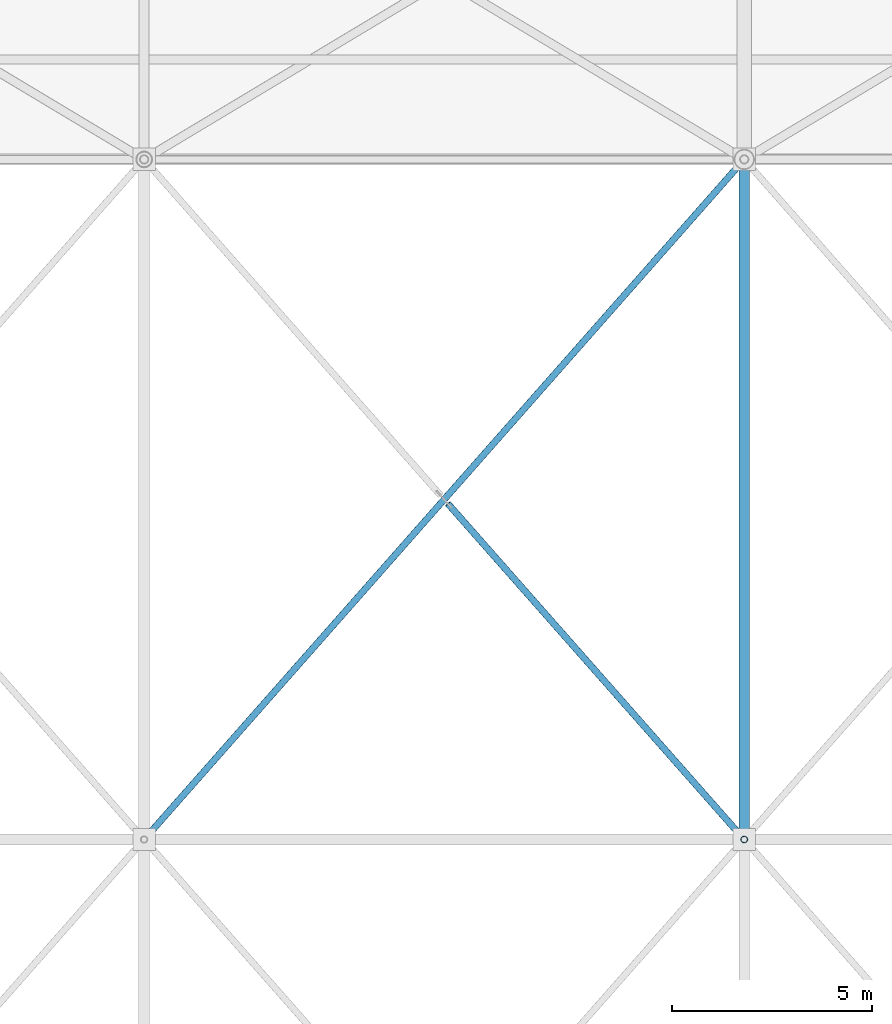
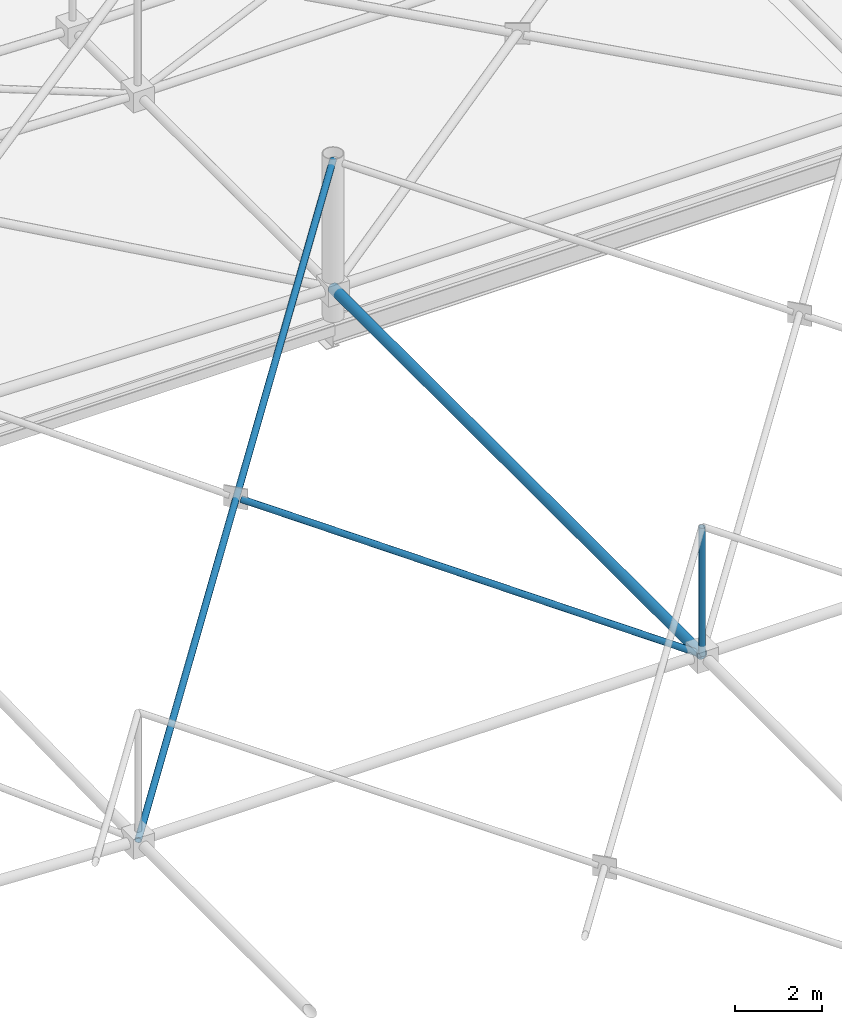
# One storey, part 82 of 224: 4 members.
"""IFC4 building model written with IfcOpenShell, lengths in metres."""

from ifc_helpers import new_model, si_unit, direction, frame, origin, origin_2d, place, context, subcontext, project, spatial, hollow_circle, extrude, material, material_profile, profile_set, type_object, element, save


model = new_model("IFC4")

# Units and contexts
model_context = context("Model", 3, precision=1e-05, world=origin(), true_north=direction((0.0, 1.0)))
body_context = subcontext(model_context, "Body", "Model", "MODEL_VIEW")
ifc_project = project(units=[si_unit("LENGTHUNIT", "METRE"), si_unit("AREAUNIT", "SQUARE_METRE"), si_unit("VOLUMEUNIT", "CUBIC_METRE"), si_unit("PLANEANGLEUNIT", "RADIAN"), si_unit("MASSUNIT", "GRAM", prefix="KILO")], contexts=[model_context])

# Site, building, storey
site_placement = place(None, origin())
site = spatial("IfcSite", under=ifc_project, at=site_placement, CompositionType="ELEMENT")
building_placement = place(site_placement, origin())
building = spatial("IfcBuilding", under=site, at=building_placement, Name="Qamarlyn Nura Convention Centre", CompositionType="ELEMENT")
storey_placement = place(building_placement, frame((0.0, 0.0, 10.800048828125)))
storey = spatial("IfcBuildingStorey", under=building, at=storey_placement, Name="L02", CompositionType="ELEMENT", Elevation=10.800048828125)

# Members
ifc_material = material(Name="Pearl-white PVDF steel ASTM A500 Grade C", Category="steel")
ifc_material_profile_1 = material_profile(ifc_material, hollow_circle(Radius=0.136474609375, WallThickness=0.012451171875, at=origin_2d()), Name="CHS273X12.5")
ifc_profile_set_1 = profile_set([ifc_material_profile_1], Name="Pearl-white PVDF steel ASTM A500 Grade C")
member_type_1 = type_object("IfcMemberType", Name="SF-BC-MAIN", PredefinedType="CHORD", material=ifc_profile_set_1)
member_1_placement = place(storey_placement, frame((45.0, 86.0, 0.800048828125), z_axis=(0.0, 1.0, 0.0), x_axis=(-1.0, 0.0, 0.0)))
element("IfcMember", 1, at=member_1_placement, inside=storey, type_object=member_type_1, Name="ROOF TRUSS space frame bottom chord Y5-6", PredefinedType="CHORD", context=body_context, shape_type="SweptSolid", body=[
    extrude(hollow_circle(Radius=0.136474609375, WallThickness=0.012451171875, at=origin_2d()), origin(), (0.0, 0.0, 1.0), 17.0),
])
ifc_material_profile_2 = material_profile(ifc_material, hollow_circle(Radius=0.084228515625, WallThickness=0.008056640625, at=origin_2d()), Name="CHS168.3X8")
ifc_profile_set_2 = profile_set([ifc_material_profile_2], Name="Pearl-white PVDF steel ASTM A500 Grade C")
member_type_2 = type_object("IfcMemberType", Name="SF-WEB-STD", PredefinedType="BRACE", material=ifc_profile_set_2)
member_2_placement = place(storey_placement, frame((30.0, 86.0, 0.828857421875), z_axis=(0.653563836207, 0.740705681035, 0.155593721227), x_axis=(-0.749837855365, 0.661621637087, 0.0)))
element("IfcMember", 2, at=member_2_placement, inside=storey, type_object=member_type_2, Name="ROOF TRUSS space frame diagonal A 4-6", PredefinedType="BRACE", context=body_context, shape_type="SweptSolid", body=[
    extrude(hollow_circle(Radius=0.084228515625, WallThickness=0.008056640625, at=origin_2d()), origin(), (0.0, 0.0, 1.0), 22.951171875),
])
member_3_placement = place(storey_placement, frame((45.0, 86.0, 0.800048828125), z_axis=(-0.652577863383, 0.739585377891, 0.16478956591), x_axis=(-0.749836582836, -0.661623079284, 0.0)))
element("IfcMember", 3, at=member_3_placement, inside=storey, type_object=member_type_2, Name="ROOF TRUSS space frame split diagonal B1 4-6", PredefinedType="BRACE", context=body_context, shape_type="SweptSolid", body=[
    extrude(hollow_circle(Radius=0.084228515625, WallThickness=0.008056640625, at=origin_2d()), origin(), (0.0, 0.0, 1.0), 11.35302734375),
])
member_4_placement = place(storey_placement, frame((45.0, 86.0, 0.800048828125), z_axis=(0.0, 0.0, 1.0), x_axis=(1.0, 0.0, 0.0)))
element("IfcMember", 4, at=member_4_placement, inside=storey, type_object=member_type_2, Name="ROOF TRUSS space frame vertical 5-6", PredefinedType="BRACE", context=body_context, shape_type="SweptSolid", body=[
    extrude(hollow_circle(Radius=0.084228515625, WallThickness=0.008056640625, at=origin_2d()), origin(), (0.0, 0.0, 1.0), 3.599853515625),
])

save(model, "model.ifc")
